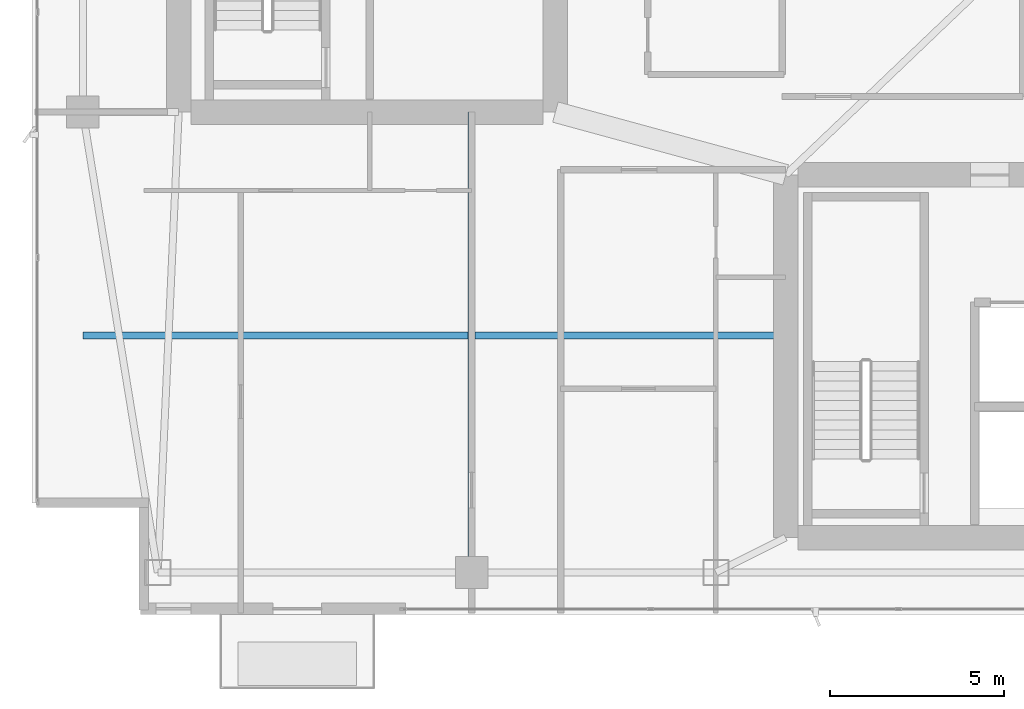
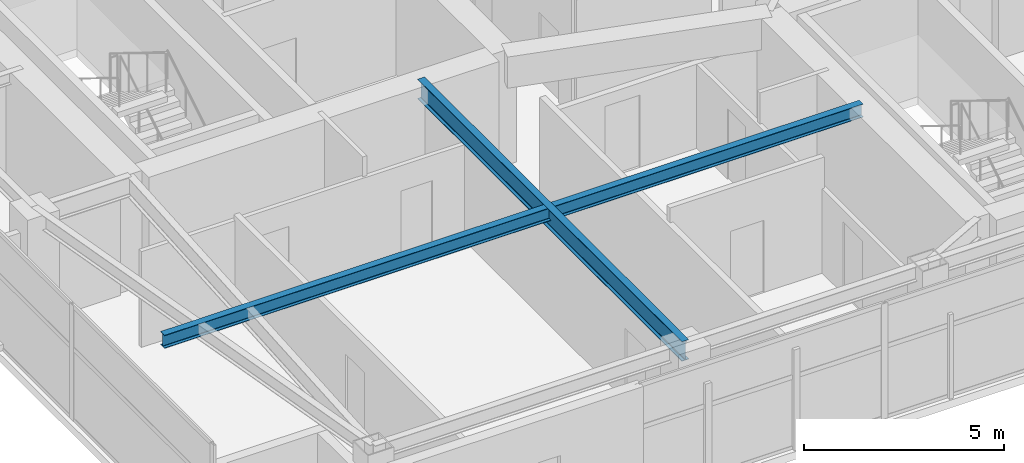
# One storey, part 5 of 27: 2 beams.
"""IFC4 building model written with IfcOpenShell, lengths in metres."""

from ifc_helpers import new_model, si_unit, direction, frame, origin, origin_2d, place, context, subcontext, project, spatial, i_section, extrude, material, material_profile, profile_set, type_object, element, save


model = new_model("IFC4")

# Units and contexts
model_context = context("Model", 3, precision=1e-05, world=origin(), true_north=direction((0.0, 1.0)))
body_context = subcontext(model_context, "Body", "Model", "MODEL_VIEW")
ifc_project = project(units=[si_unit("LENGTHUNIT", "METRE"), si_unit("AREAUNIT", "SQUARE_METRE"), si_unit("VOLUMEUNIT", "CUBIC_METRE"), si_unit("PLANEANGLEUNIT", "RADIAN"), si_unit("MASSUNIT", "GRAM", prefix="KILO")], contexts=[model_context])

# Site, building, storey
site_placement = place(None, origin())
site = spatial("IfcSite", under=ifc_project, at=site_placement, CompositionType="ELEMENT")
building_placement = place(site_placement, origin())
building = spatial("IfcBuilding", under=site, at=building_placement, Name="Calvorn Quay Hotel", CompositionType="ELEMENT")
storey_placement = place(building_placement, frame((0.0, 0.0, 230.699951171875)))
storey = spatial("IfcBuildingStorey", under=building, at=storey_placement, Name="L57", CompositionType="ELEMENT", Elevation=230.699951171875)

# Beams
ifc_material_1 = material(Name="Steel Q355B", Category="steel")
ifc_material_profile_1 = material_profile(ifc_material_1, i_section(OverallWidth=0.199951171875, OverallDepth=0.60009765625, WebThickness=0.010986328125, FlangeThickness=0.01708984375, FilletRadius=0.01806640625, at=origin_2d()), Name="HN600x200x11x17")
ifc_profile_set_1 = profile_set([ifc_material_profile_1], Name="Steel Q355B")
beam_type_1 = type_object("IfcBeamType", Name="BM-GIRD-TYP", PredefinedType="BEAM", material=ifc_profile_set_1)
beam_1_placement = place(storey_placement, frame((12.60009765625, 3.60009765625, 3.219970703125), z_axis=(0.0, 1.0, 0.0), x_axis=(-1.0, 0.0, 0.0)))
element("IfcBeam", 1, at=beam_1_placement, inside=storey, type_object=beam_type_1, Name="Beam BG-L57-S1", PredefinedType="BEAM", context=body_context, shape_type="SweptSolid", body=[
    extrude(i_section(OverallWidth=0.199951171875, OverallDepth=0.60009765625, WebThickness=0.010986328125, FlangeThickness=0.01708984375, FilletRadius=0.01806640625, at=origin_2d()), origin(), (0.0, 0.0, 1.0), 13.199951171875),
])
ifc_material_2 = material(Name="Steel Q355B", Category="steel")
ifc_material_profile_2 = material_profile(ifc_material_2, i_section(OverallWidth=0.199951171875, OverallDepth=0.39990234375, WebThickness=0.008056640625, FlangeThickness=0.012939453125, FilletRadius=0.01611328125, at=origin_2d()), Name="HN400x200x8x13")
ifc_profile_set_2 = profile_set([ifc_material_profile_2], Name="Steel Q355B")
beam_type_2 = type_object("IfcBeamType", Name="BM-JOIST-TYP", PredefinedType="JOIST", material=ifc_profile_set_2)
beam_2_placement = place(storey_placement, frame((1.449951171875, 10.39990234375, 3.320068359375), z_axis=(1.0, 0.0, 0.0), x_axis=(0.0, 1.0, 0.0)))
element("IfcBeam", 2, at=beam_2_placement, inside=storey, type_object=beam_type_2, Name="Beam BJ-L57-W1", PredefinedType="JOIST", context=body_context, shape_type="SweptSolid", body=[
    extrude(i_section(OverallWidth=0.199951171875, OverallDepth=0.39990234375, WebThickness=0.008056640625, FlangeThickness=0.012939453125, FilletRadius=0.01611328125, at=origin_2d()), origin(), (0.0, 0.0, 1.0), 20.150146484375),
])

save(model, "model.ifc")
